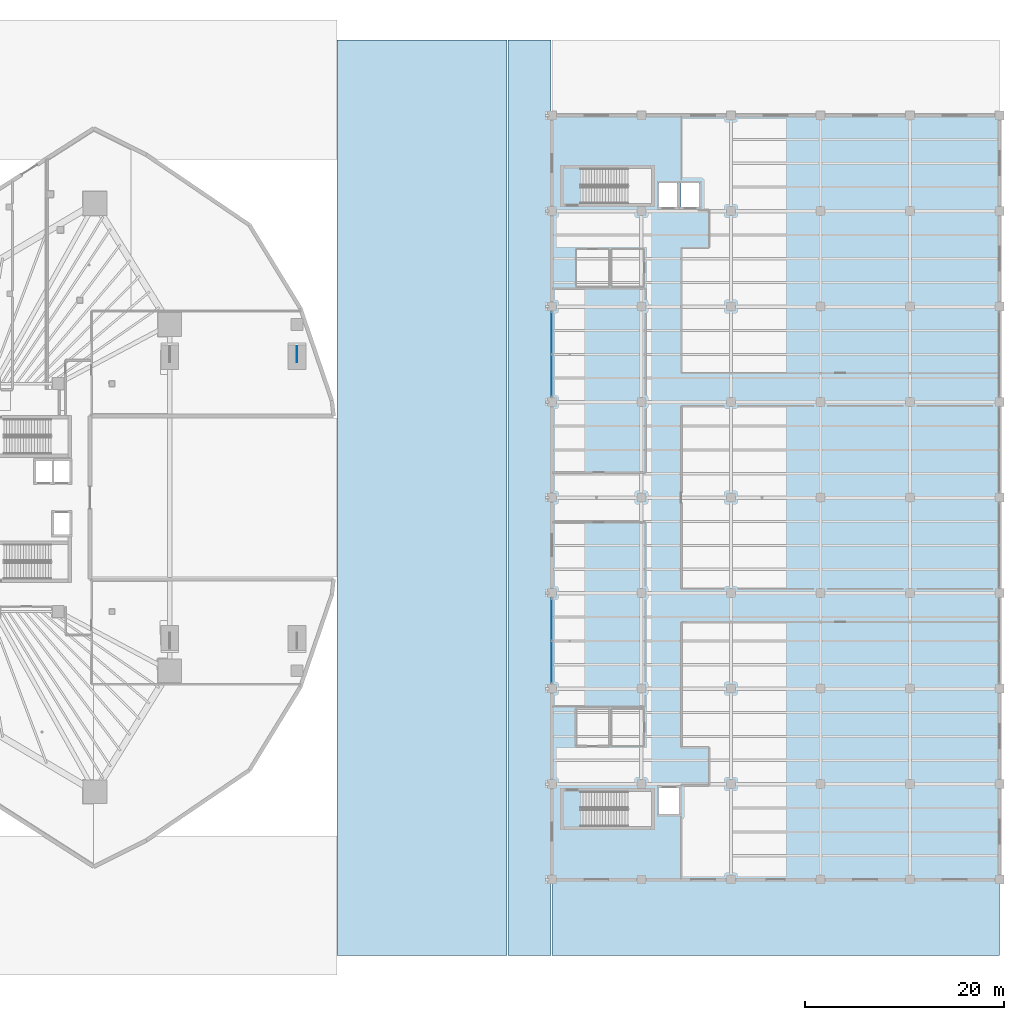
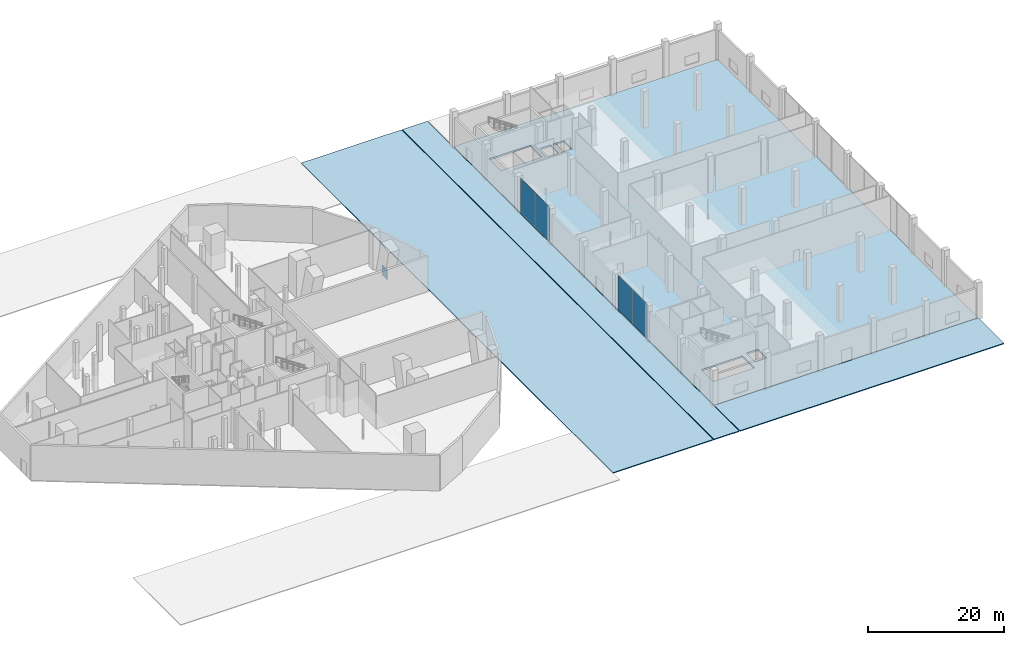
# One storey, part 24 of 45: 5 plates, 4 slabs, 2 elements without a shape of their own.
"""IFC4 building model written with IfcOpenShell, lengths in metres."""

import ifcopenshell
import ifcopenshell.guid

model = None  # the IFC model being written
_history = None  # IfcOwnerHistory: only IFC2X3 demands one
_inside = {}  # id of a spatial element -> (the spatial element, [elements in it])
_under = {}  # id of a project, library or spatial element -> (it, [spatial elements below it])
_declared = {}  # id of a project -> (the project, [libraries it declares])
_typed = {}  # id of a type object -> (the type object, [elements of that type])
_made_of = {}  # id of a material, layer set ... -> (it, [elements and type objects made of it])


def new_model(schema):
    """Start an empty IFC model of exactly this schema.

    Asked for "IFC4X3", IfcOpenShell would pick the latest addendum, in which some entities
    have other attributes; the version numbers below select the first issue.
    IFC2X3 requires an IfcOwnerHistory on every rooted entity: one is made here for all.
    """
    global model, _history
    if schema == "IFC4X3":
        model = ifcopenshell.file(schema_version=(4, 3, 0, 0))
    else:
        model = ifcopenshell.file(schema=schema)
    _inside.clear()
    _under.clear()
    _declared.clear()
    _typed.clear()
    _made_of.clear()
    _history = None
    if model.schema == "IFC2X3":
        org = make("IfcOrganization", Name="unknown")
        user = make(
            "IfcPersonAndOrganization",
            ThePerson=make("IfcPerson", FamilyName="unknown"),
            TheOrganization=org,
        )
        app = make(
            "IfcApplication",
            ApplicationDeveloper=org,
            Version="unknown",
            ApplicationFullName="unknown",
            ApplicationIdentifier="unknown",
        )
        _history = make(
            "IfcOwnerHistory",
            OwningUser=user,
            OwningApplication=app,
            ChangeAction="ADDED",
            CreationDate=0,
        )
    return model


def make(cls, **values):
    """One entity of the class cls with the attributes given. An attribute that is None is left unset."""
    return model.create_entity(
        cls, **{name: value for name, value in values.items() if value is not None}
    )


def rooted(cls, **values):
    """An entity with a GlobalId (a new one), such as an element, a storey or a relation."""
    return make(cls, GlobalId=ifcopenshell.guid.new(), OwnerHistory=_history, **values)


def si_unit(unit_type, name, prefix=None):
    """IfcSIUnit, for example si_unit("LENGTHUNIT", "METRE", prefix="MILLI")."""
    return make("IfcSIUnit", UnitType=unit_type, Prefix=prefix, Name=name)


def assignment(units):
    """IfcUnitAssignment: the units of a project."""
    return None if units is None else make("IfcUnitAssignment", Units=units)


def point(xyz):
    """IfcCartesianPoint."""
    return None if xyz is None else make("IfcCartesianPoint", Coordinates=xyz)


def direction(xyz):
    """IfcDirection."""
    return None if xyz is None else make("IfcDirection", DirectionRatios=xyz)


def frame(location, z_axis=None, x_axis=None):
    """IfcAxis2Placement3D, a coordinate frame: its origin and axes. An axis left out is left unset."""
    return make(
        "IfcAxis2Placement3D",
        Location=point(location),
        Axis=direction(z_axis),
        RefDirection=direction(x_axis),
    )


def frame_2d(location, x_axis=None):
    """IfcAxis2Placement2D, a coordinate frame in the plane: its origin and x axis."""
    return make(
        "IfcAxis2Placement2D", Location=point(location), RefDirection=direction(x_axis)
    )


def origin():
    """The frame at (0, 0, 0) with its axes left unset."""
    return frame((0.0, 0.0, 0.0))


def origin_2d():
    """The frame at (0, 0) in the plane with its x axis left unset."""
    return frame_2d((0.0, 0.0))


def place(relative_to, where):
    """IfcLocalPlacement: puts the frame where relative to a parent placement (None: the world)."""
    return make(
        "IfcLocalPlacement", PlacementRelTo=relative_to, RelativePlacement=where
    )


def context(
    kind, dimensions, precision=None, world=None, true_north=None, identifier=None
):
    """IfcGeometricRepresentationContext, for example the 3D "Model" context."""
    return make(
        "IfcGeometricRepresentationContext",
        ContextIdentifier=identifier,
        ContextType=kind,
        CoordinateSpaceDimension=dimensions,
        Precision=precision,
        WorldCoordinateSystem=world,
        TrueNorth=true_north,
    )


def subcontext(parent, identifier, kind, view, scale=None):
    """IfcGeometricRepresentationSubContext, for example "Body" below "Model"."""
    return make(
        "IfcGeometricRepresentationSubContext",
        ContextIdentifier=identifier,
        ContextType=kind,
        ParentContext=parent,
        TargetScale=scale,
        TargetView=view,
    )


def project(units=None, contexts=None):
    """IfcProject with its units and contexts."""
    return rooted(
        "IfcProject",
        Name="project",
        RepresentationContexts=contexts,
        UnitsInContext=assignment(units),
    )


def spatial(cls, under=None, at=None, **own):
    """A site, building, storey or space (cls), placed at a placement, below another one or the project."""
    s = rooted(cls, ObjectPlacement=at, **own)
    if under is not None:
        _under.setdefault(under.id(), (under, []))[1].append(s)
    return s


def polyline(points):
    """IfcPolyline through the points."""
    return make("IfcPolyline", Points=[point(p) for p in points])


def profile(cls, at=None, kind="AREA", **sizes):
    """A parametric profile (cls). Its sizes go by their IFC names, for example OverallWidth=200.0."""
    return make(cls, ProfileType=kind, Position=at, **sizes)


def rectangle(**sizes):
    """IfcRectangleProfileDef."""
    return profile("IfcRectangleProfileDef", **sizes)


def outline(outer, holes=None, kind="AREA"):
    """IfcArbitraryClosedProfileDef: a profile drawn as a closed curve; with holes, ...WithVoids."""
    if holes is None:
        return make("IfcArbitraryClosedProfileDef", ProfileType=kind, OuterCurve=outer)
    return make(
        "IfcArbitraryProfileDefWithVoids",
        ProfileType=kind,
        OuterCurve=outer,
        InnerCurves=holes,
    )


def extrude(swept, where, along, depth):
    """IfcExtrudedAreaSolid: the profile swept, set in the frame where, extruded along a direction by depth."""
    return make(
        "IfcExtrudedAreaSolid",
        SweptArea=swept,
        Position=where,
        ExtrudedDirection=direction(along),
        Depth=depth,
    )


def shape(context_of_items, identifier, shape_type, items):
    """IfcShapeRepresentation: the items that make up one representation, for example the "Body"."""
    return make(
        "IfcShapeRepresentation",
        ContextOfItems=context_of_items,
        RepresentationIdentifier=identifier,
        RepresentationType=shape_type,
        Items=items,
    )


def material(Name=None, Category=None):
    """IfcMaterial."""
    return make("IfcMaterial", Name=Name, Category=Category)


def layer(
    of_material, thickness, ventilated=None, Name=None, Category=None, Priority=None
):
    """IfcMaterialLayer: one layer of a wall or slab, of a material (None: an air gap)."""
    return make(
        "IfcMaterialLayer",
        Material=of_material,
        LayerThickness=thickness,
        IsVentilated=ventilated,
        Name=Name,
        Category=Category,
        Priority=Priority,
    )


def layer_set(layers, Name=None):
    """IfcMaterialLayerSet."""
    return make("IfcMaterialLayerSet", MaterialLayers=layers, LayerSetName=Name)


def made_of(thing, what):
    """Note that an element or type object is made of a material, layer set ...; save() writes the relation."""
    if what is not None:
        _made_of.setdefault(what.id(), (what, []))[1].append(thing)
    return thing


def type_object(cls, material=None, **own):
    """A type object (cls), such as IfcWallType, which elements share."""
    return made_of(rooted(cls, **own), material)


def element(
    cls,
    number,
    at=None,
    inside=None,
    cuts=None,
    type_object=None,
    material=None,
    context=None,
    identifier="Body",
    shape_type=None,
    held_by="IfcProductDefinitionShape",
    body=None,
    shapes=None,
    **own,
):
    """One element of the class cls, such as IfcWall. Its Tag is "e" and its number.

    at: its placement. inside: the storey or other place that contains it. cuts: it is an
    opening in that element (IfcRelVoidsElement). A single representation is given by context,
    identifier, shape_type and body (its items); several are given by shapes. held_by: the class
    of the entity that holds the representations. save() writes the other relations.
    """
    e = rooted(cls, Tag="e%d" % number, ObjectPlacement=at, **own)
    if body is not None:
        shapes = [shape(context, identifier, shape_type, body)]
    if shapes is not None:
        e.Representation = make(held_by, Representations=shapes)
    if inside is not None:
        _inside.setdefault(inside.id(), (inside, []))[1].append(e)
    if cuts is not None:
        rooted(
            "IfcRelVoidsElement", RelatingBuildingElement=cuts, RelatedOpeningElement=e
        )
    if type_object is not None:
        _typed.setdefault(type_object.id(), (type_object, []))[1].append(e)
    return made_of(e, material)


def aggregate(whole, parts):
    """IfcRelAggregates: a whole, such as a stair, and the parts it consists of."""
    return rooted("IfcRelAggregates", RelatingObject=whole, RelatedObjects=parts)


def save(model, path):
    """Write the relations noted so far, then the file.

    IfcRelAggregates (storeys below a building ...), IfcRelContainedInSpatialStructure (elements
    in a storey), IfcRelDefinesByType, IfcRelAssociatesMaterial and IfcRelDeclares: one each for
    every whole, place, type object, material and project.
    """
    for whole, parts in _under.values():
        aggregate(whole, parts)
    for where, things in _inside.values():
        rooted(
            "IfcRelContainedInSpatialStructure",
            RelatedElements=things,
            RelatingStructure=where,
        )
    for kind, things in _typed.values():
        rooted("IfcRelDefinesByType", RelatedObjects=things, RelatingType=kind)
    for what, things in _made_of.values():
        rooted("IfcRelAssociatesMaterial", RelatedObjects=things, RelatingMaterial=what)
    for by, libraries in _declared.values():
        rooted("IfcRelDeclares", RelatingContext=by, RelatedDefinitions=libraries)
    model.write(path)


model = new_model("IFC4")

# Units and contexts
model_context = context("Model", 3, precision=1e-05, world=origin(), true_north=direction((0.0, 1.0)))
body_context = subcontext(model_context, "Body", "Model", "MODEL_VIEW")
ifc_project = project(units=[si_unit("LENGTHUNIT", "METRE"), si_unit("AREAUNIT", "SQUARE_METRE"), si_unit("VOLUMEUNIT", "CUBIC_METRE"), si_unit("PLANEANGLEUNIT", "RADIAN"), si_unit("MASSUNIT", "GRAM", prefix="KILO")], contexts=[model_context])

# Site, building, storey
site_placement = place(None, origin())
site = spatial("IfcSite", under=ifc_project, at=site_placement, CompositionType="ELEMENT")
building_placement = place(site_placement, origin())
building = spatial("IfcBuilding", under=site, at=building_placement, Name="Qorvath Tower", CompositionType="ELEMENT")
storey_placement = place(building_placement, origin())
storey = spatial("IfcBuildingStorey", under=building, at=storey_placement, Name="L00", CompositionType="ELEMENT", Elevation=0.0)

# Curtain wall, plates
ifc_material_1 = material(Name="Anodised aluminium and triple low-E glass", Category="aluminium")
ifc_layer_1 = layer(ifc_material_1, 0.179931640625)
ifc_layer_set_1 = layer_set([ifc_layer_1], Name="CW-SYS-6")
curtain_wall_type = type_object("IfcCurtainWallType", Name="CW-SYS-6", PredefinedType="NOTDEFINED", material=ifc_layer_set_1)
curtain_wall_1_placement = place(storey_placement, origin())
curtain_wall_1 = element("IfcCurtainWall", 1, at=curtain_wall_1_placement, inside=storey, type_object=curtain_wall_type, Name="Curtain Wall CW-6 CW-LIB-W-L00-3", PredefinedType="NOTDEFINED")
ifc_material_2 = material(Name="Low-E triple insulated glass", Category="glass")
ifc_layer_2 = layer(ifc_material_2, 0.031982421875)
ifc_layer_set_2 = layer_set([ifc_layer_2], Name="CWP-GLZ-32")
plate_type_1 = type_object("IfcPlateType", Name="CWP-GLZ-32", PredefinedType="CURTAIN_PANEL", material=ifc_layer_set_2)
plate_1_placement = place(storey_placement, frame((32.39990234375, -16.532470703125, 0.06494140625), z_axis=(0.0, 0.0, 1.0), x_axis=(0.0, 1.0, 0.0)))
plate_1 = element("IfcPlate", 2, at=plate_1_placement, type_object=plate_type_1, Name="CW-6 panel 1.1", PredefinedType="CURTAIN_PANEL", context=body_context, shape_type="SweptSolid", body=[
    extrude(rectangle(XDim=4.18505859375, YDim=0.031982421875, at=origin_2d()), origin(), (0.0, 0.0, 1.0), 6.210205078125),
])
plate_2_placement = place(storey_placement, frame((32.39990234375, -12.267578125, 0.06494140625), z_axis=(0.0, 0.0, 1.0), x_axis=(0.0, 1.0, 0.0)))
plate_2 = element("IfcPlate", 3, at=plate_2_placement, type_object=plate_type_1, Name="CW-6 panel 2.1", PredefinedType="CURTAIN_PANEL", context=body_context, shape_type="SweptSolid", body=[
    extrude(rectangle(XDim=4.18505859375, YDim=0.031982421875, at=origin_2d()), origin(), (0.0, 0.0, 1.0), 6.210205078125),
])
aggregate(curtain_wall_1, [plate_1, plate_2])

curtain_wall_2_placement = place(storey_placement, origin())
curtain_wall_2 = element("IfcCurtainWall", 4, at=curtain_wall_2_placement, inside=storey, type_object=curtain_wall_type, Name="Curtain Wall CW-6 CW-LIB-W-L00-6", PredefinedType="NOTDEFINED")
plate_3_placement = place(storey_placement, frame((32.39990234375, 12.267578125, 0.06494140625), z_axis=(0.0, 0.0, 1.0), x_axis=(0.0, 1.0, 0.0)))
plate_3 = element("IfcPlate", 5, at=plate_3_placement, type_object=plate_type_1, Name="CW-6 panel 1.1", PredefinedType="CURTAIN_PANEL", context=body_context, shape_type="SweptSolid", body=[
    extrude(rectangle(XDim=4.18505859375, YDim=0.031982421875, at=origin_2d()), origin(), (0.0, 0.0, 1.0), 6.210205078125),
])
plate_4_placement = place(storey_placement, frame((32.39990234375, 16.532470703125, 0.06494140625), z_axis=(0.0, 0.0, 1.0), x_axis=(0.0, 1.0, 0.0)))
plate_4 = element("IfcPlate", 6, at=plate_4_placement, type_object=plate_type_1, Name="CW-6 panel 2.1", PredefinedType="CURTAIN_PANEL", context=body_context, shape_type="SweptSolid", body=[
    extrude(rectangle(XDim=4.18505859375, YDim=0.031982421875, at=origin_2d()), origin(), (0.0, 0.0, 1.0), 6.210205078125),
])
aggregate(curtain_wall_2, [plate_3, plate_4])

# Plate
ifc_material_3 = material(Name="Steel ASTM A572 Grade 50", Category="steel")
ifc_layer_3 = layer(ifc_material_3, 0.080078125)
ifc_layer_set_3 = layer_set([ifc_layer_3], Name="PL-AN1")
plate_type_2 = type_object("IfcPlateType", Name="PL-AN1", PredefinedType="USERDEFINED", material=ifc_layer_set_3)
plate_5_placement = place(storey_placement, frame((6.800048828125, 14.39990234375, 0.0), z_axis=(0.0, 0.0, 1.0), x_axis=(0.0, 1.0, 0.0)))
element("IfcPlate", 7, at=plate_5_placement, inside=storey, type_object=plate_type_2, Name="Arch Haunch Node Gusset Plate ARCH-FRONT-N-L00", ObjectType="GUSSET", PredefinedType="USERDEFINED", context=body_context, shape_type="SweptSolid", body=[
    extrude(rectangle(XDim=1.60009765625, YDim=0.080078125, at=origin_2d()), origin(), (0.0, 0.0, 1.0), 1.800048828125),
])

# Slabs
ifc_material_4 = material(Name="Concrete C50/60", Category="concrete")
ifc_layer_4 = layer(ifc_material_4, 0.300048828125)
ifc_layer_set_4 = layer_set([ifc_layer_4], Name="SL-L00-300")
slab_type_1 = type_object("IfcSlabType", Name="SL-L00-300", PredefinedType="FLOOR", material=ifc_layer_set_4)
slab_1_placement = place(storey_placement, frame((0.0, 0.0, -0.300048828125)))
element("IfcSlab", 8, at=slab_1_placement, inside=storey, type_object=slab_type_1, Name="Central Library L00 Floor Slab", PredefinedType="FLOOR", context=body_context, shape_type="SweptSolid", body=[
    extrude(outline(polyline([(77.39990234375, -38.39990234375), (77.39990234375, 38.39990234375), (32.39990234375, 38.39990234375), (32.39990234375, -38.39990234375), (77.39990234375, -38.39990234375)]), holes=[polyline([(47.199951171875, 29.199951171875), (45.39990234375, 29.199951171875), (45.39990234375, 31.60009765625), (47.199951171875, 31.60009765625), (47.199951171875, 29.199951171875)]), polyline([(45.199951171875, -29.199951171875), (45.199951171875, -31.800048828125), (43.199951171875, -31.800048828125), (43.199951171875, -29.199951171875), (45.199951171875, -29.199951171875)]), polyline([(45.0, 31.60009765625), (45.0, 29.199951171875), (43.199951171875, 29.199951171875), (43.199951171875, 31.60009765625), (45.0, 31.60009765625)]), polyline([(42.35498046875, -29.5400390625), (42.35498046875, -33.050048828125), (35.324951171875, -33.050048828125), (35.324951171875, -29.5400390625), (42.35498046875, -29.5400390625)]), polyline([(42.35498046875, 29.550048828125), (35.324951171875, 29.550048828125), (35.324951171875, 33.06005859375), (42.35498046875, 33.06005859375), (42.35498046875, 29.550048828125)])]), origin(), (0.0, 0.0, 1.0), 0.300048828125),
])
ifc_material_5 = material(Name="Concrete C45/55", Category="concrete")
ifc_layer_5 = layer(ifc_material_5, 0.14990234375)
ifc_layer_set_5 = layer_set([ifc_layer_5], Name="SL-PAV-150")
slab_type_2 = type_object("IfcSlabType", Name="SL-PAV-150", PredefinedType="USERDEFINED", material=ifc_layer_set_5)
slab_2_placement = place(storey_placement, frame((0.0, 0.0, -0.14990234375)))
element("IfcSlab", 9, at=slab_2_placement, inside=storey, type_object=slab_type_2, Name="Civic Plaza Granite Paving W01", ObjectType="PAVING", PredefinedType="USERDEFINED", context=body_context, shape_type="SweptSolid", body=[
    extrude(outline(polyline([(27.89990234375, 46.0), (10.800048828125, 46.0), (10.800048828125, -46.0), (27.89990234375, -46.0), (27.89990234375, 46.0)])), origin(), (0.0, 0.0, 1.0), 0.14990234375),
])
slab_3_placement = place(storey_placement, frame((0.0, 0.0, -0.14990234375)))
element("IfcSlab", 10, at=slab_3_placement, inside=storey, type_object=slab_type_2, Name="Civic Plaza Granite Paving W05", ObjectType="PAVING", PredefinedType="USERDEFINED", context=body_context, shape_type="SweptSolid", body=[
    extrude(outline(polyline([(28.0, 46.0), (28.0, -46.0), (32.300048828125, -46.0), (32.300048828125, 46.0), (28.0, 46.0)])), origin(), (0.0, 0.0, 1.0), 0.14990234375),
])
slab_4_placement = place(storey_placement, frame((0.0, 0.0, -0.14990234375)))
element("IfcSlab", 11, at=slab_4_placement, inside=storey, type_object=slab_type_2, Name="Civic Plaza Granite Paving E07", ObjectType="PAVING", PredefinedType="USERDEFINED", context=body_context, shape_type="SweptSolid", body=[
    extrude(outline(polyline([(32.39990234375, -38.449951171875), (32.39990234375, -46.0), (77.39990234375, -46.0), (77.39990234375, -38.449951171875), (32.39990234375, -38.449951171875)])), origin(), (0.0, 0.0, 1.0), 0.14990234375),
])

save(model, "model.ifc")
